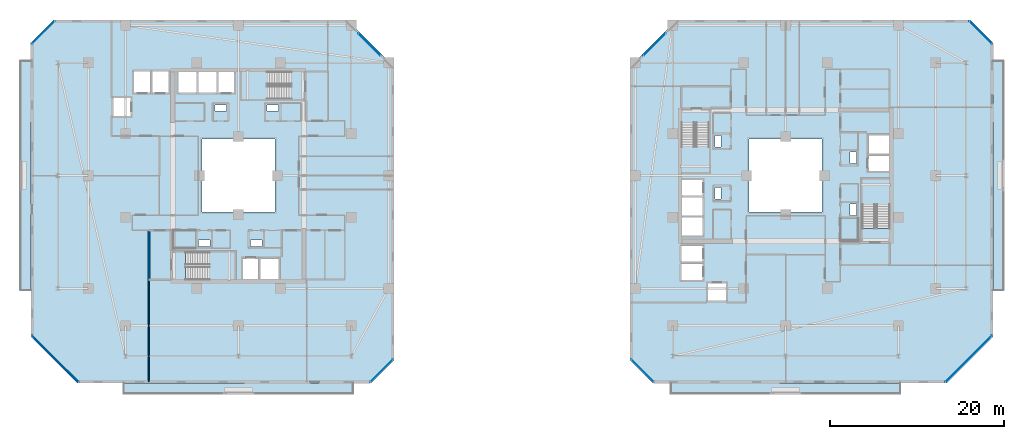
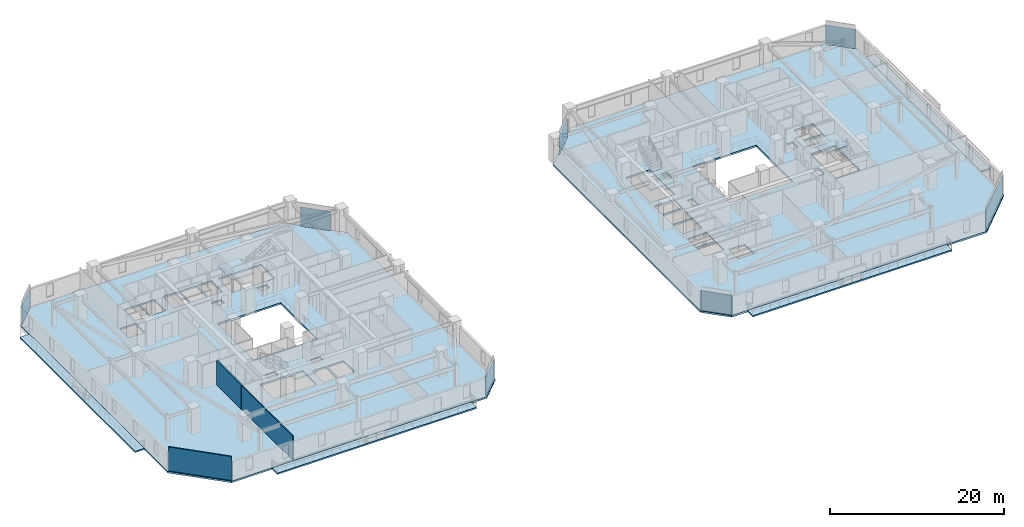
# One storey, part 17 of 33: 10 slabs, 8 plates, 3 walls, 12 elements without a shape of their own.
"""IFC4 building model written with IfcOpenShell, lengths in metres."""

from ifc_helpers import new_model, si_unit, direction, frame, frame_2d, origin, origin_2d, place, context, subcontext, project, spatial, polyline, rectangle, outline, extrude, material, layer, layer_set, type_object, element, aggregate, save


model = new_model("IFC4")

# Units and contexts
model_context = context("Model", 3, precision=1e-05, world=origin(), true_north=direction((0.0, 1.0)))
body_context = subcontext(model_context, "Body", "Model", "MODEL_VIEW")
ifc_project = project(units=[si_unit("LENGTHUNIT", "METRE"), si_unit("AREAUNIT", "SQUARE_METRE"), si_unit("VOLUMEUNIT", "CUBIC_METRE"), si_unit("PLANEANGLEUNIT", "RADIAN"), si_unit("MASSUNIT", "GRAM", prefix="KILO")], contexts=[model_context])

# Site, building, storey
site_placement = place(None, origin())
site = spatial("IfcSite", under=ifc_project, at=site_placement, CompositionType="ELEMENT")
building_placement = place(site_placement, origin())
building = spatial("IfcBuilding", under=site, at=building_placement, Name="Thornwick Lancets Civic Towers", CompositionType="ELEMENT")
storey_placement = place(building_placement, frame((0.0, 0.0, 130.5)))
storey = spatial("IfcBuildingStorey", under=building, at=storey_placement, Name="L34", CompositionType="ELEMENT", Elevation=130.5)

# Curtain wall, plate
ifc_material_1 = material(Name="Mid-zone chamfered-corner unitised glass curtain wall", Category="glass")
curtain_wall_type = type_object("IfcCurtainWallType", Name="CW_SYS_04", PredefinedType="NOTDEFINED", material=ifc_material_1)
curtain_wall_1_placement = place(storey_placement, origin())
curtain_wall_1 = element("IfcCurtainWall", 1, at=curtain_wall_1_placement, inside=storey, type_object=curtain_wall_type, Name="L34 Curtain Wall CW-L34-A-E1", PredefinedType="NOTDEFINED")
ifc_material_2 = material(Name="Low-e double glazing clear glass", Category="glass")
ifc_layer_1 = layer(ifc_material_2, 0.035888671875, Name="Low-e double glazing clear glass")
ifc_layer_set_1 = layer_set([ifc_layer_1], Name="Low-e double glazing clear glass")
plate_type = type_object("IfcPlateType", Name="CW_PNL_GLASS", PredefinedType="CURTAIN_PANEL", material=ifc_layer_set_1)
plate_1_placement = place(storey_placement, frame((41.972900390625, 4.527099609375, 0.0), z_axis=(0.0, 0.0, 1.0), x_axis=(0.707106781187, 0.707106781187, 0.0)))
plate_1 = element("IfcPlate", 2, at=plate_1_placement, type_object=plate_type, Name="CW-L34-A-E1 Panel 0", PredefinedType="CURTAIN_PANEL", context=body_context, shape_type="SweptSolid", body=[
    extrude(rectangle(XDim=3.649169921875, YDim=0.035888671875, at=origin_2d()), origin(), (0.0, 0.0, 1.0), 2.699951171875),
])
aggregate(curtain_wall_1, [plate_1])

curtain_wall_2_placement = place(storey_placement, origin())
curtain_wall_2 = element("IfcCurtainWall", 3, at=curtain_wall_2_placement, inside=storey, type_object=curtain_wall_type, Name="L34 Curtain Wall CW-L34-A-E3", PredefinedType="NOTDEFINED")
plate_2_placement = place(storey_placement, frame((40.589599609375, 42.089599609375, 0.0), z_axis=(0.0, 0.0, 1.0), x_axis=(-0.707106781187, 0.707106781187, 0.0)))
plate_2 = element("IfcPlate", 4, at=plate_2_placement, type_object=plate_type, Name="CW-L34-A-E3 Panel 0", PredefinedType="CURTAIN_PANEL", context=body_context, shape_type="SweptSolid", body=[
    extrude(rectangle(XDim=3.5771484375, YDim=0.035888671875, at=origin_2d()), origin(), (0.0, 0.0, 1.0), 2.699951171875),
])
aggregate(curtain_wall_2, [plate_2])

curtain_wall_3_placement = place(storey_placement, origin())
curtain_wall_3 = element("IfcCurtainWall", 5, at=curtain_wall_3_placement, inside=storey, type_object=curtain_wall_type, Name="L34 Curtain Wall CW-L34-A-E5", PredefinedType="NOTDEFINED")
plate_3_placement = place(storey_placement, frame((3.027099609375, 43.472900390625, 0.0), z_axis=(0.0, 0.0, 1.0), x_axis=(-0.707106781187, -0.707106781187, 0.0)))
plate_3 = element("IfcPlate", 6, at=plate_3_placement, type_object=plate_type, Name="CW-L34-A-E5 Panel 0", PredefinedType="CURTAIN_PANEL", context=body_context, shape_type="SweptSolid", body=[
    extrude(rectangle(XDim=3.649169921875, YDim=0.035888671875, at=origin_2d()), origin(), (0.0, 0.0, 1.0), 2.699951171875),
])
aggregate(curtain_wall_3, [plate_3])

curtain_wall_4_placement = place(storey_placement, origin())
curtain_wall_4 = element("IfcCurtainWall", 7, at=curtain_wall_4_placement, inside=storey, type_object=curtain_wall_type, Name="L34 Curtain Wall CW-L34-A-E7", PredefinedType="NOTDEFINED")
plate_4_placement = place(storey_placement, frame((4.410400390625, 5.910400390625, 0.0), z_axis=(0.0, 0.0, 1.0), x_axis=(0.707106781187, -0.707106781187, 0.0)))
plate_4 = element("IfcPlate", 8, at=plate_4_placement, type_object=plate_type, Name="CW-L34-A-E7 Panel 0", PredefinedType="CURTAIN_PANEL", context=body_context, shape_type="SweptSolid", body=[
    extrude(rectangle(XDim=7.536376953125, YDim=0.035888671875, at=origin_2d()), origin(), (0.0, 0.0, 1.0), 2.699951171875),
])
aggregate(curtain_wall_4, [plate_4])

curtain_wall_5_placement = place(storey_placement, origin())
curtain_wall_5 = element("IfcCurtainWall", 9, at=curtain_wall_5_placement, inside=storey, type_object=curtain_wall_type, Name="L34 Curtain Wall CW-L34-B-E1", PredefinedType="NOTDEFINED")
plate_5_placement = place(storey_placement, frame((109.589599609375, 5.910400390625, 0.0), z_axis=(0.0, 0.0, 1.0), x_axis=(0.707106781187, 0.707106781187, 0.0)))
plate_5 = element("IfcPlate", 10, at=plate_5_placement, type_object=plate_type, Name="CW-L34-B-E1 Panel 0", PredefinedType="CURTAIN_PANEL", context=body_context, shape_type="SweptSolid", body=[
    extrude(rectangle(XDim=7.536376953125, YDim=0.035888671875, at=origin_2d()), origin(), (0.0, 0.0, 1.0), 2.699951171875),
])
aggregate(curtain_wall_5, [plate_5])

curtain_wall_6_placement = place(storey_placement, origin())
curtain_wall_6 = element("IfcCurtainWall", 11, at=curtain_wall_6_placement, inside=storey, type_object=curtain_wall_type, Name="L34 Curtain Wall CW-L34-B-E3", PredefinedType="NOTDEFINED")
plate_6_placement = place(storey_placement, frame((110.972900390625, 43.472900390625, 0.0), z_axis=(0.0, 0.0, 1.0), x_axis=(-0.707106781187, 0.707106781187, 0.0)))
plate_6 = element("IfcPlate", 12, at=plate_6_placement, type_object=plate_type, Name="CW-L34-B-E3 Panel 0", PredefinedType="CURTAIN_PANEL", context=body_context, shape_type="SweptSolid", body=[
    extrude(rectangle(XDim=3.649169921875, YDim=0.035888671875, at=origin_2d()), origin(), (0.0, 0.0, 1.0), 2.699951171875),
])
aggregate(curtain_wall_6, [plate_6])

curtain_wall_7_placement = place(storey_placement, origin())
curtain_wall_7 = element("IfcCurtainWall", 13, at=curtain_wall_7_placement, inside=storey, type_object=curtain_wall_type, Name="L34 Curtain Wall CW-L34-B-E5", PredefinedType="NOTDEFINED")
plate_7_placement = place(storey_placement, frame((73.410400390625, 42.089599609375, 0.0), z_axis=(0.0, 0.0, 1.0), x_axis=(-0.707106781187, -0.707106781187, 0.0)))
plate_7 = element("IfcPlate", 14, at=plate_7_placement, type_object=plate_type, Name="CW-L34-B-E5 Panel 0", PredefinedType="CURTAIN_PANEL", context=body_context, shape_type="SweptSolid", body=[
    extrude(rectangle(XDim=3.5771484375, YDim=0.035888671875, at=origin_2d()), origin(), (0.0, 0.0, 1.0), 2.699951171875),
])
aggregate(curtain_wall_7, [plate_7])

curtain_wall_8_placement = place(storey_placement, origin())
curtain_wall_8 = element("IfcCurtainWall", 15, at=curtain_wall_8_placement, inside=storey, type_object=curtain_wall_type, Name="L34 Curtain Wall CW-L34-B-E7", PredefinedType="NOTDEFINED")
plate_8_placement = place(storey_placement, frame((72.027099609375, 4.527099609375, 0.0), z_axis=(0.0, 0.0, 1.0), x_axis=(0.707106781187, -0.707106781187, 0.0)))
plate_8 = element("IfcPlate", 16, at=plate_8_placement, type_object=plate_type, Name="CW-L34-B-E7 Panel 0", PredefinedType="CURTAIN_PANEL", context=body_context, shape_type="SweptSolid", body=[
    extrude(rectangle(XDim=3.649169921875, YDim=0.035888671875, at=origin_2d()), origin(), (0.0, 0.0, 1.0), 2.699951171875),
])
aggregate(curtain_wall_8, [plate_8])

# Slabs
ifc_material_3 = material(Name="Post-tensioned concrete C40/50", Category="concrete")
ifc_layer_2 = layer(ifc_material_3, 0.199951171875, Name="Post-tensioned concrete C40/50")
ifc_layer_set_2 = layer_set([ifc_layer_2], Name="Post-tensioned concrete C40/50")
slab_type_1 = type_object("IfcSlabType", Name="SLAB_BALCONY_200", PredefinedType="FLOOR", material=ifc_layer_set_2)
slab_1_placement = place(storey_placement, frame((0.0, 0.0, -0.199951171875)))
element("IfcSlab", 17, at=slab_1_placement, inside=storey, type_object=slab_type_1, Name="L34 Tower A Planted Balcony Slab W", PredefinedType="FLOOR", context=body_context, shape_type="SweptSolid", body=[
    extrude(outline(polyline([(0.35009765625, 13.800048828125), (1.60009765625, 13.800048828125), (1.60009765625, 40.199951171875), (0.35009765625, 40.199951171875), (0.35009765625, 13.800048828125)])), origin(), (0.0, 0.0, 1.0), 0.199951171875),
])
slab_2_placement = place(storey_placement, frame((0.0, 0.0, -0.199951171875)))
element("IfcSlab", 18, at=slab_2_placement, inside=storey, type_object=slab_type_1, Name="L34 Tower A Planted Balcony Slab S", PredefinedType="FLOOR", context=body_context, shape_type="SweptSolid", body=[
    extrude(outline(polyline([(12.300048828125, 1.85009765625), (38.699951171875, 1.85009765625), (38.699951171875, 3.10009765625), (12.300048828125, 3.10009765625), (12.300048828125, 1.85009765625)])), origin(), (0.0, 0.0, 1.0), 0.199951171875),
])
slab_3_placement = place(storey_placement, frame((0.0, 0.0, -0.199951171875)))
element("IfcSlab", 19, at=slab_3_placement, inside=storey, type_object=slab_type_1, Name="L34 Tower B Planted Balcony Slab E", PredefinedType="FLOOR", context=body_context, shape_type="SweptSolid", body=[
    extrude(outline(polyline([(112.39990234375, 13.800048828125), (113.64990234375, 13.800048828125), (113.64990234375, 40.199951171875), (112.39990234375, 40.199951171875), (112.39990234375, 13.800048828125)])), origin(), (0.0, 0.0, 1.0), 0.199951171875),
])
slab_4_placement = place(storey_placement, frame((0.0, 0.0, -0.199951171875)))
element("IfcSlab", 20, at=slab_4_placement, inside=storey, type_object=slab_type_1, Name="L34 Tower B Planted Balcony Slab S", PredefinedType="FLOOR", context=body_context, shape_type="SweptSolid", body=[
    extrude(outline(polyline([(75.300048828125, 1.85009765625), (101.699951171875, 1.85009765625), (101.699951171875, 3.10009765625), (75.300048828125, 3.10009765625), (75.300048828125, 1.85009765625)])), origin(), (0.0, 0.0, 1.0), 0.199951171875),
])

# Stair, slab
ifc_material_4 = material(Name="Concrete C40/50", Category="concrete")
stair_type = type_object("IfcStairType", Name="STAIR_DL_3600", PredefinedType="HALF_TURN_STAIR", material=ifc_material_4)
stair_1_placement = place(storey_placement, origin())
stair_1 = element("IfcStair", 21, at=stair_1_placement, inside=storey, type_object=stair_type, Name="L34 Tower A South Exit Stair ST-A1", PredefinedType="HALF_TURN_STAIR")
ifc_layer_3 = layer(ifc_material_4, 0.25, Name="Concrete C40/50")
ifc_layer_set_3 = layer_set([ifc_layer_3], Name="Concrete C40/50")
slab_type_2 = type_object("IfcSlabType", Name="SLAB_LANDING_200", PredefinedType="LANDING", material=ifc_layer_set_3)
slab_5_placement = place(storey_placement, frame((0.0, 0.0, 1.60302734375)))
slab_5 = element("IfcSlab", 22, at=slab_5_placement, type_object=slab_type_2, Name="ST-A1 landing 1", PredefinedType="LANDING", context=body_context, shape_type="SweptSolid", body=[
    extrude(outline(polyline([(22.169921875, 14.93994140625), (25.14990234375, 14.93994140625), (25.14990234375, 18.260009765625), (22.169921875, 18.260009765625), (22.169921875, 14.93994140625)])), origin(), (0.0, 0.0, 1.0), 0.199951171875),
])
aggregate(stair_1, [slab_5])

stair_2_placement = place(storey_placement, origin())
stair_2 = element("IfcStair", 23, at=stair_2_placement, inside=storey, type_object=stair_type, Name="L34 Tower A North Exit Stair ST-A2", PredefinedType="HALF_TURN_STAIR")
slab_6_placement = place(storey_placement, frame((0.0, 0.0, 1.60302734375)))
slab_6 = element("IfcSlab", 24, at=slab_6_placement, type_object=slab_type_2, Name="ST-A2 landing 1", PredefinedType="LANDING", context=body_context, shape_type="SweptSolid", body=[
    extrude(outline(polyline([(28.830078125, 39.06005859375), (25.85009765625, 39.06005859375), (25.85009765625, 35.739990234375), (28.830078125, 35.739990234375), (28.830078125, 39.06005859375)])), origin(), (0.0, 0.0, 1.0), 0.199951171875),
])
aggregate(stair_2, [slab_6])

stair_3_placement = place(storey_placement, origin())
stair_3 = element("IfcStair", 25, at=stair_3_placement, inside=storey, type_object=stair_type, Name="L34 Tower B East Exit Stair ST-B1", PredefinedType="HALF_TURN_STAIR")
slab_7_placement = place(storey_placement, frame((0.0, 0.0, 1.60302734375)))
slab_7 = element("IfcSlab", 26, at=slab_7_placement, type_object=slab_type_2, Name="ST-B1 landing 1", PredefinedType="LANDING", context=body_context, shape_type="SweptSolid", body=[
    extrude(outline(polyline([(100.56005859375, 23.669921875), (100.56005859375, 26.64990234375), (97.239990234375, 26.64990234375), (97.239990234375, 23.669921875), (100.56005859375, 23.669921875)])), origin(), (0.0, 0.0, 1.0), 0.199951171875),
])
aggregate(stair_3, [slab_7])

stair_4_placement = place(storey_placement, origin())
stair_4 = element("IfcStair", 27, at=stair_4_placement, inside=storey, type_object=stair_type, Name="L34 Tower B West Exit Stair ST-B2", PredefinedType="HALF_TURN_STAIR")
slab_8_placement = place(storey_placement, frame((0.0, 0.0, 1.60302734375)))
slab_8 = element("IfcSlab", 28, at=slab_8_placement, type_object=slab_type_2, Name="ST-B2 landing 1", PredefinedType="LANDING", context=body_context, shape_type="SweptSolid", body=[
    extrude(outline(polyline([(76.43994140625, 30.330078125), (76.43994140625, 27.35009765625), (79.760009765625, 27.35009765625), (79.760009765625, 30.330078125), (76.43994140625, 30.330078125)])), origin(), (0.0, 0.0, 1.0), 0.199951171875),
])
aggregate(stair_4, [slab_8])

# Slabs
ifc_layer_4 = layer(ifc_material_3, 0.239990234375, Name="Post-tensioned concrete C40/50")
ifc_layer_set_4 = layer_set([ifc_layer_4], Name="Post-tensioned concrete C40/50")
slab_type_3 = type_object("IfcSlabType", Name="SLAB_PT_240", PredefinedType="FLOOR", material=ifc_layer_set_4)
slab_9_placement = place(storey_placement, frame((0.0, 0.0, -0.239990234375)))
element("IfcSlab", 29, at=slab_9_placement, inside=storey, type_object=slab_type_3, Name="L34 Tower A Floor Slab", PredefinedType="FLOOR", context=body_context, shape_type="SweptSolid", body=[
    extrude(outline(polyline([(6.968994140625, 3.10009765625), (40.800048828125, 3.10009765625), (43.39990234375, 5.699951171875), (43.39990234375, 39.531005859375), (38.031005859375, 44.89990234375), (4.199951171875, 44.89990234375), (1.60009765625, 42.300048828125), (1.60009765625, 8.468994140625), (6.968994140625, 3.10009765625)]), holes=[polyline([(21.300048828125, 22.800048828125), (29.699951171875, 22.800048828125), (29.699951171875, 31.199951171875), (21.300048828125, 31.199951171875), (21.300048828125, 22.800048828125)]), polyline([(19.429931640625, 15.0), (25.10009765625, 15.0), (25.10009765625, 18.199951171875), (19.429931640625, 18.199951171875), (19.429931640625, 15.0)]), polyline([(31.570068359375, 39.0), (25.89990234375, 39.0), (25.89990234375, 35.800048828125), (31.570068359375, 35.800048828125), (31.570068359375, 39.0)]), polyline([(26.0, 15.0), (27.800048828125, 15.0), (27.800048828125, 17.550048828125), (26.0, 17.550048828125), (26.0, 15.0)]), polyline([(28.0, 15.0), (30.14990234375, 15.0), (30.14990234375, 17.550048828125), (28.0, 17.550048828125), (28.0, 15.0)]), polyline([(23.199951171875, 36.449951171875), (25.0, 36.449951171875), (25.0, 39.0), (23.199951171875, 39.0), (23.199951171875, 36.449951171875)]), polyline([(20.85009765625, 36.449951171875), (23.0, 36.449951171875), (23.0, 39.0), (20.85009765625, 39.0), (20.85009765625, 36.449951171875)]), polyline([(18.60009765625, 36.449951171875), (20.699951171875, 36.449951171875), (20.699951171875, 39.0), (18.60009765625, 39.0), (18.60009765625, 36.449951171875)]), polyline([(15.550048828125, 36.449951171875), (17.449951171875, 36.449951171875), (17.449951171875, 39.0), (15.550048828125, 39.0), (15.550048828125, 36.449951171875)]), polyline([(13.449951171875, 36.449951171875), (15.39990234375, 36.449951171875), (15.39990234375, 39.0), (13.449951171875, 39.0), (13.449951171875, 36.449951171875)]), polyline([(11.10009765625, 33.85009765625), (13.199951171875, 33.85009765625), (13.199951171875, 35.949951171875), (11.10009765625, 35.949951171875), (11.10009765625, 33.85009765625)]), polyline([(26.89990234375, 18.85009765625), (28.199951171875, 18.85009765625), (28.199951171875, 19.580078125), (26.89990234375, 19.580078125), (26.89990234375, 18.85009765625)]), polyline([(20.89990234375, 18.85009765625), (22.199951171875, 18.85009765625), (22.199951171875, 19.580078125), (20.89990234375, 19.580078125), (20.89990234375, 18.85009765625)]), polyline([(22.800048828125, 34.419921875), (24.10009765625, 34.419921875), (24.10009765625, 35.14990234375), (22.800048828125, 35.14990234375), (22.800048828125, 34.419921875)]), polyline([(28.800048828125, 34.419921875), (30.10009765625, 34.419921875), (30.10009765625, 35.14990234375), (28.800048828125, 35.14990234375), (28.800048828125, 34.419921875)])]), origin(), (0.0, 0.0, 1.0), 0.239990234375),
])
slab_10_placement = place(storey_placement, frame((0.0, 0.0, -0.239990234375)))
element("IfcSlab", 30, at=slab_10_placement, inside=storey, type_object=slab_type_3, Name="L34 Tower B Floor Slab", PredefinedType="FLOOR", context=body_context, shape_type="SweptSolid", body=[
    extrude(outline(polyline([(73.199951171875, 3.10009765625), (107.031005859375, 3.10009765625), (112.39990234375, 8.468994140625), (112.39990234375, 42.300048828125), (109.800048828125, 44.89990234375), (75.968994140625, 44.89990234375), (70.60009765625, 39.531005859375), (70.60009765625, 5.699951171875), (73.199951171875, 3.10009765625)]), holes=[polyline([(84.300048828125, 22.800048828125), (92.699951171875, 22.800048828125), (92.699951171875, 31.199951171875), (84.300048828125, 31.199951171875), (84.300048828125, 22.800048828125)]), polyline([(100.5, 20.929931640625), (100.5, 26.60009765625), (97.300048828125, 26.60009765625), (97.300048828125, 20.929931640625), (100.5, 20.929931640625)]), polyline([(76.5, 33.070068359375), (76.5, 27.39990234375), (79.699951171875, 27.39990234375), (79.699951171875, 33.070068359375), (76.5, 33.070068359375)]), polyline([(97.949951171875, 27.5), (100.5, 27.5), (100.5, 29.300048828125), (97.949951171875, 29.300048828125), (97.949951171875, 27.5)]), polyline([(97.949951171875, 29.5), (100.5, 29.5), (100.5, 31.64990234375), (97.949951171875, 31.64990234375), (97.949951171875, 29.5)]), polyline([(76.5, 24.699951171875), (79.050048828125, 24.699951171875), (79.050048828125, 26.5), (76.5, 26.5), (76.5, 24.699951171875)]), polyline([(76.5, 22.35009765625), (79.050048828125, 22.35009765625), (79.050048828125, 24.5), (76.5, 24.5), (76.5, 22.35009765625)]), polyline([(76.5, 20.10009765625), (79.050048828125, 20.10009765625), (79.050048828125, 22.199951171875), (76.5, 22.199951171875), (76.5, 20.10009765625)]), polyline([(76.5, 17.050048828125), (79.050048828125, 17.050048828125), (79.050048828125, 18.949951171875), (76.5, 18.949951171875), (76.5, 17.050048828125)]), polyline([(76.5, 14.949951171875), (79.050048828125, 14.949951171875), (79.050048828125, 16.89990234375), (76.5, 16.89990234375), (76.5, 14.949951171875)]), polyline([(79.550048828125, 12.60009765625), (81.64990234375, 12.60009765625), (81.64990234375, 14.699951171875), (79.550048828125, 14.699951171875), (79.550048828125, 12.60009765625)]), polyline([(95.919921875, 28.39990234375), (96.64990234375, 28.39990234375), (96.64990234375, 29.699951171875), (95.919921875, 29.699951171875), (95.919921875, 28.39990234375)]), polyline([(95.919921875, 22.39990234375), (96.64990234375, 22.39990234375), (96.64990234375, 23.699951171875), (95.919921875, 23.699951171875), (95.919921875, 22.39990234375)]), polyline([(80.35009765625, 24.300048828125), (81.080078125, 24.300048828125), (81.080078125, 25.60009765625), (80.35009765625, 25.60009765625), (80.35009765625, 24.300048828125)]), polyline([(80.35009765625, 30.300048828125), (81.080078125, 30.300048828125), (81.080078125, 31.60009765625), (80.35009765625, 31.60009765625), (80.35009765625, 30.300048828125)])]), origin(), (0.0, 0.0, 1.0), 0.239990234375),
])

# Walls
ifc_material_5 = material(Name="Concrete blockwork C40/50", Category="masonry")
ifc_layer_5 = layer(ifc_material_5, 0.199951171875, Name="Concrete blockwork C40/50")
ifc_layer_set_5 = layer_set([ifc_layer_5], Name="Concrete blockwork C40/50")
wall_type_1 = type_object("IfcWallType", Name="WALL_COMP_200", PredefinedType="STANDARD", material=ifc_layer_set_5)
wall_1_placement = place(storey_placement, frame((15.199951171875, 20.699951171875, 0.0), z_axis=(0.0, 0.0, 1.0), x_axis=(0.0, -1.0, 0.0)))
element("IfcWall", 31, at=wall_1_placement, inside=storey, type_object=wall_type_1, Name="L34 Partition L34-A-FFLOB1 E4", PredefinedType="STANDARD", context=body_context, shape_type="SweptSolid", body=[
    extrude(rectangle(XDim=5.699951171875, YDim=0.199951171875, at=frame_2d((2.85009765625, 0.0))), origin(), (0.0, 0.0, 1.0), 3.340087890625),
])
ifc_material_6 = material(Name="Acoustic gypsum board partition")
ifc_layer_6 = layer(ifc_material_6, 0.1201171875, Name="Acoustic gypsum board partition")
ifc_layer_set_6 = layer_set([ifc_layer_6], Name="Acoustic gypsum board partition")
wall_type_2 = type_object("IfcWallType", Name="WALL_PART_120", PredefinedType="PARTITIONING", material=ifc_layer_set_6)
wall_2_placement = place(storey_placement, frame((15.199951171875, 15.0, 0.0), z_axis=(0.0, 0.0, 1.0), x_axis=(0.0, -1.0, 0.0)))
element("IfcWall", 32, at=wall_2_placement, inside=storey, type_object=wall_type_2, Name="L34 Partition L34-A-W1 E6", PredefinedType="PARTITIONING", context=body_context, shape_type="SweptSolid", body=[
    extrude(rectangle(XDim=11.719970703125, YDim=0.1201171875, at=frame_2d((5.85986328125, 0.0))), origin(), (0.0, 0.0, 1.0), 3.340087890625),
])
wall_3_placement = place(storey_placement, frame((7.043701171875, 3.280029296875, 0.0), z_axis=(0.0, 0.0, 1.0), x_axis=(-0.707106781187, 0.707106781187, 0.0)))
element("IfcWall", 33, at=wall_3_placement, inside=storey, type_object=wall_type_2, Name="L34 Partition L34-A-W1 E8", PredefinedType="PARTITIONING", context=body_context, shape_type="SweptSolid", body=[
    extrude(rectangle(XDim=7.44384765625, YDim=0.1201171875, at=frame_2d((3.721923828125, 0.0))), origin(), (0.0, 0.0, 1.0), 3.340087890625),
])

save(model, "model.ifc")
